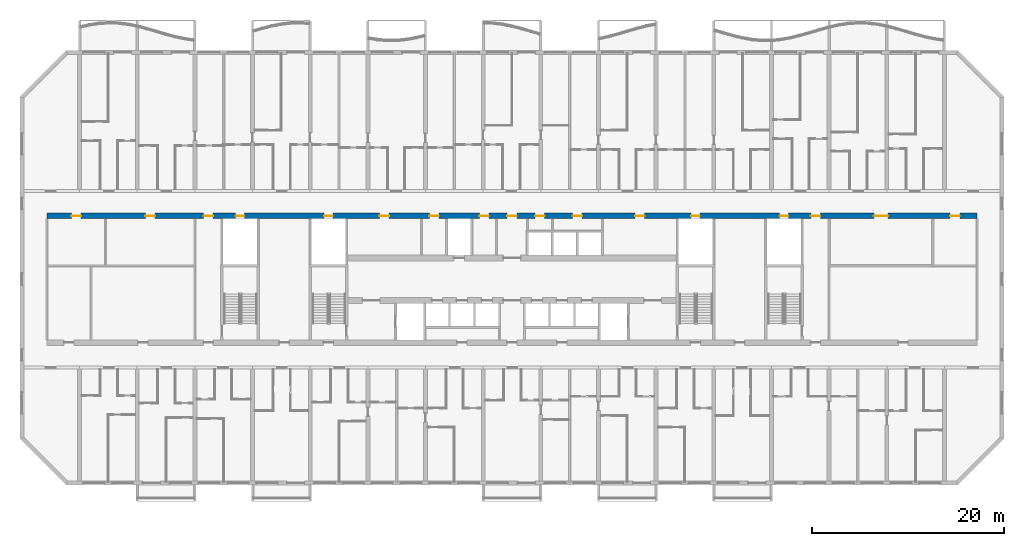
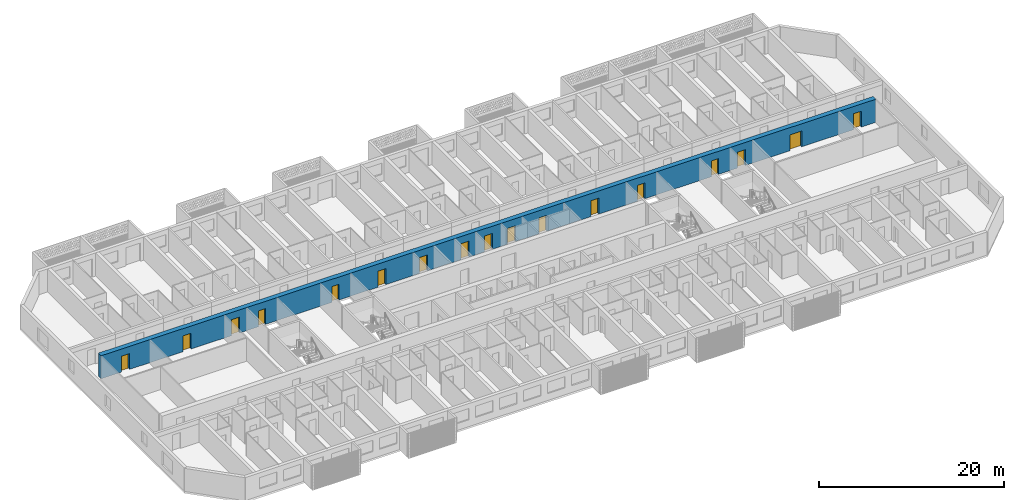
# One storey, part 9 of 40: 17 doors, 1 wall, 17 openings.
"""IFC4 building model written with IfcOpenShell, lengths in metres."""

from ifc_helpers import new_model, si_unit, direction, frame, frame_2d, origin, place, context, subcontext, project, spatial, rectangle, extrude, material, layer, layer_set, type_object, element, fill, save


model = new_model("IFC4")

# Units and contexts
model_context = context("Model", 3, precision=1e-05, world=origin(), true_north=direction((0.0, 1.0)))
body_context = subcontext(model_context, "Body", "Model", "MODEL_VIEW")
ifc_project = project(units=[si_unit("LENGTHUNIT", "METRE"), si_unit("AREAUNIT", "SQUARE_METRE"), si_unit("VOLUMEUNIT", "CUBIC_METRE"), si_unit("PLANEANGLEUNIT", "RADIAN"), si_unit("MASSUNIT", "GRAM", prefix="KILO")], contexts=[model_context])

# Site, building, storey
site_placement = place(None, origin())
site = spatial("IfcSite", under=ifc_project, at=site_placement, CompositionType="ELEMENT")
building_placement = place(site_placement, origin())
building = spatial("IfcBuilding", under=site, at=building_placement, Name="Poui Terraces", CompositionType="ELEMENT")
storey_placement = place(building_placement, frame((0.0, 0.0, 36.60009765625)))
storey = spatial("IfcBuildingStorey", under=building, at=storey_placement, Name="L09", CompositionType="ELEMENT", Elevation=36.60009765625)

# Wall, openings, doors
ifc_material_1 = material(Name="Concrete 80 MPa", Category="concrete")
ifc_layer = layer(ifc_material_1, 0.60009765625)
ifc_layer_set = layer_set([ifc_layer], Name="Concrete 80 MPa")
wall_type = type_object("IfcWallType", Name="SPINE WALL 600 80 MPA", PredefinedType="SOLIDWALL", material=ifc_layer_set)
wall_placement = place(storey_placement, frame((2.60009765625, 27.800048828125, 0.0), z_axis=(0.0, 0.0, 1.0), x_axis=(1.0, 0.0, 0.0)))
wall = element("IfcWall", 1, at=wall_placement, inside=storey, type_object=wall_type, Name="SPINE WALL", PredefinedType="SOLIDWALL", context=body_context, shape_type="SweptSolid", body=[
    extrude(rectangle(XDim=96.7998046875, YDim=0.60009765625, at=frame_2d((48.39990234375, 0.0))), origin(), (0.0, 0.0, 1.0), 3.0498046875),
])
opening_1_placement = place(wall_placement, frame((2.550048828125, 0.0, 0.0)))
opening_1 = element("IfcOpeningElement", 2, at=opening_1_placement, cuts=wall, Name="Opening D100", PredefinedType="OPENING", context=body_context, shape_type="SweptSolid", body=[
    extrude(rectangle(XDim=1.0, YDim=2.10009765625, at=frame_2d((0.5, 1.050048828125))), frame((0.0, 0.31005859375, 0.0), z_axis=(0.0, -1.0, 0.0), x_axis=(1.0, 0.0, 0.0)), (0.0, 0.0, 1.0), 0.6201171875),
])
opening_2_placement = place(wall_placement, frame((10.25, 0.0, 0.0)))
opening_2 = element("IfcOpeningElement", 3, at=opening_2_placement, cuts=wall, Name="Opening FD60", PredefinedType="OPENING", context=body_context, shape_type="SweptSolid", body=[
    extrude(rectangle(XDim=1.0, YDim=2.10009765625, at=frame_2d((0.5, 1.050048828125))), frame((0.0, 0.31005859375, 0.0), z_axis=(0.0, -1.0, 0.0), x_axis=(1.0, 0.0, 0.0)), (0.0, 0.0, 1.0), 0.6201171875),
])
opening_3_placement = place(wall_placement, frame((16.300048828125, 0.0, 0.0)))
opening_3 = element("IfcOpeningElement", 4, at=opening_3_placement, cuts=wall, Name="Opening FDL", PredefinedType="OPENING", context=body_context, shape_type="SweptSolid", body=[
    extrude(rectangle(XDim=1.0, YDim=2.10009765625, at=frame_2d((0.5, 1.050048828125))), frame((0.0, 0.31005859375, 0.0), z_axis=(0.0, -1.0, 0.0), x_axis=(1.0, 0.0, 0.0)), (0.0, 0.0, 1.0), 0.6201171875),
])
opening_4_placement = place(wall_placement, frame((19.64990234375, 0.0, 0.0)))
opening_4 = element("IfcOpeningElement", 5, at=opening_4_placement, cuts=wall, Name="Opening FDR", PredefinedType="OPENING", context=body_context, shape_type="SweptSolid", body=[
    extrude(rectangle(XDim=0.89990234375, YDim=2.10009765625, at=frame_2d((0.449951171875, 1.050048828125))), frame((0.0, 0.31005859375, 0.0), z_axis=(0.0, -1.0, 0.0), x_axis=(1.0, 0.0, 0.0)), (0.0, 0.0, 1.0), 0.6201171875),
])
opening_5_placement = place(wall_placement, frame((28.85009765625, 0.0, 0.0)))
opening_5 = element("IfcOpeningElement", 6, at=opening_5_placement, cuts=wall, Name="Opening FDR", PredefinedType="OPENING", context=body_context, shape_type="SweptSolid", body=[
    extrude(rectangle(XDim=0.89990234375, YDim=2.10009765625, at=frame_2d((0.449951171875, 1.050048828125))), frame((0.0, 0.31005859375, 0.0), z_axis=(0.0, -1.0, 0.0), x_axis=(1.0, 0.0, 0.0)), (0.0, 0.0, 1.0), 0.6201171875),
])
opening_6_placement = place(wall_placement, frame((34.60009765625, 0.0, 0.0)))
opening_6 = element("IfcOpeningElement", 7, at=opening_6_placement, cuts=wall, Name="Opening FD60", PredefinedType="OPENING", context=body_context, shape_type="SweptSolid", body=[
    extrude(rectangle(XDim=1.0, YDim=2.10009765625, at=frame_2d((0.5, 1.050048828125))), frame((0.0, 0.31005859375, 0.0), z_axis=(0.0, -1.0, 0.0), x_axis=(1.0, 0.0, 0.0)), (0.0, 0.0, 1.0), 0.6201171875),
])
opening_7_placement = place(wall_placement, frame((39.800048828125, 0.0, 0.0)))
opening_7 = element("IfcOpeningElement", 8, at=opening_7_placement, cuts=wall, Name="Opening FD60", PredefinedType="OPENING", context=body_context, shape_type="SweptSolid", body=[
    extrude(rectangle(XDim=1.0, YDim=2.10009765625, at=frame_2d((0.5, 1.050048828125))), frame((0.0, 0.31005859375, 0.0), z_axis=(0.0, -1.0, 0.0), x_axis=(1.0, 0.0, 0.0)), (0.0, 0.0, 1.0), 0.6201171875),
])
opening_8_placement = place(wall_placement, frame((45.0, 0.0, 0.0)))
opening_8 = element("IfcOpeningElement", 9, at=opening_8_placement, cuts=wall, Name="Opening FD60", PredefinedType="OPENING", context=body_context, shape_type="SweptSolid", body=[
    extrude(rectangle(XDim=1.0, YDim=2.10009765625, at=frame_2d((0.5, 1.050048828125))), frame((0.0, 0.31005859375, 0.0), z_axis=(0.0, -1.0, 0.0), x_axis=(1.0, 0.0, 0.0)), (0.0, 0.0, 1.0), 0.6201171875),
])
opening_9_placement = place(wall_placement, frame((47.89990234375, 0.0, 0.0)))
opening_9 = element("IfcOpeningElement", 10, at=opening_9_placement, cuts=wall, Name="Opening FDL", PredefinedType="OPENING", context=body_context, shape_type="SweptSolid", body=[
    extrude(rectangle(XDim=1.0, YDim=2.10009765625, at=frame_2d((0.5, 1.050048828125))), frame((0.0, 0.31005859375, 0.0), z_axis=(0.0, -1.0, 0.0), x_axis=(1.0, 0.0, 0.0)), (0.0, 0.0, 1.0), 0.6201171875),
])
opening_10_placement = place(wall_placement, frame((50.800048828125, 0.0, 0.0)))
opening_10 = element("IfcOpeningElement", 11, at=opening_10_placement, cuts=wall, Name="Opening FD60", PredefinedType="OPENING", context=body_context, shape_type="SweptSolid", body=[
    extrude(rectangle(XDim=1.0, YDim=2.10009765625, at=frame_2d((0.5, 1.050048828125))), frame((0.0, 0.31005859375, 0.0), z_axis=(0.0, -1.0, 0.0), x_axis=(1.0, 0.0, 0.0)), (0.0, 0.0, 1.0), 0.6201171875),
])
opening_11_placement = place(wall_placement, frame((54.699951171875, 0.0, 0.0)))
opening_11 = element("IfcOpeningElement", 12, at=opening_11_placement, cuts=wall, Name="Opening FD60", PredefinedType="OPENING", context=body_context, shape_type="SweptSolid", body=[
    extrude(rectangle(XDim=1.0, YDim=2.10009765625, at=frame_2d((0.5, 1.050048828125))), frame((0.0, 0.31005859375, 0.0), z_axis=(0.0, -1.0, 0.0), x_axis=(1.0, 0.0, 0.0)), (0.0, 0.0, 1.0), 0.6201171875),
])
opening_12_placement = place(wall_placement, frame((61.199951171875, 0.0, 0.0)))
opening_12 = element("IfcOpeningElement", 13, at=opening_12_placement, cuts=wall, Name="Opening FD60", PredefinedType="OPENING", context=body_context, shape_type="SweptSolid", body=[
    extrude(rectangle(XDim=1.0, YDim=2.10009765625, at=frame_2d((0.5, 1.050048828125))), frame((0.0, 0.31005859375, 0.0), z_axis=(0.0, -1.0, 0.0), x_axis=(1.0, 0.0, 0.0)), (0.0, 0.0, 1.0), 0.6201171875),
])
opening_13_placement = place(wall_placement, frame((67.050048828125, 0.0, 0.0)))
opening_13 = element("IfcOpeningElement", 14, at=opening_13_placement, cuts=wall, Name="Opening FDR", PredefinedType="OPENING", context=body_context, shape_type="SweptSolid", body=[
    extrude(rectangle(XDim=0.89990234375, YDim=2.10009765625, at=frame_2d((0.449951171875, 1.050048828125))), frame((0.0, 0.31005859375, 0.0), z_axis=(0.0, -1.0, 0.0), x_axis=(1.0, 0.0, 0.0)), (0.0, 0.0, 1.0), 0.6201171875),
])
opening_14_placement = place(wall_placement, frame((76.25, 0.0, 0.0)))
opening_14 = element("IfcOpeningElement", 15, at=opening_14_placement, cuts=wall, Name="Opening FDR", PredefinedType="OPENING", context=body_context, shape_type="SweptSolid", body=[
    extrude(rectangle(XDim=0.89990234375, YDim=2.10009765625, at=frame_2d((0.449951171875, 1.050048828125))), frame((0.0, 0.31005859375, 0.0), z_axis=(0.0, -1.0, 0.0), x_axis=(1.0, 0.0, 0.0)), (0.0, 0.0, 1.0), 0.6201171875),
])
opening_15_placement = place(wall_placement, frame((79.5, 0.0, 0.0)))
opening_15 = element("IfcOpeningElement", 16, at=opening_15_placement, cuts=wall, Name="Opening FDL", PredefinedType="OPENING", context=body_context, shape_type="SweptSolid", body=[
    extrude(rectangle(XDim=1.0, YDim=2.10009765625, at=frame_2d((0.5, 1.050048828125))), frame((0.0, 0.31005859375, 0.0), z_axis=(0.0, -1.0, 0.0), x_axis=(1.0, 0.0, 0.0)), (0.0, 0.0, 1.0), 0.6201171875),
])
opening_16_placement = place(wall_placement, frame((86.050048828125, 0.0, 0.0)))
opening_16 = element("IfcOpeningElement", 17, at=opening_16_placement, cuts=wall, Name="Opening FDP", PredefinedType="OPENING", context=body_context, shape_type="SweptSolid", body=[
    extrude(rectangle(XDim=1.5, YDim=2.10009765625, at=frame_2d((0.75, 1.050048828125))), frame((0.0, 0.31005859375, 0.0), z_axis=(0.0, -1.0, 0.0), x_axis=(1.0, 0.0, 0.0)), (0.0, 0.0, 1.0), 0.6201171875),
])
opening_17_placement = place(wall_placement, frame((94.0, 0.0, 0.0)))
opening_17 = element("IfcOpeningElement", 18, at=opening_17_placement, cuts=wall, Name="Opening D100", PredefinedType="OPENING", context=body_context, shape_type="SweptSolid", body=[
    extrude(rectangle(XDim=1.0, YDim=2.10009765625, at=frame_2d((0.5, 1.050048828125))), frame((0.0, 0.31005859375, 0.0), z_axis=(0.0, -1.0, 0.0), x_axis=(1.0, 0.0, 0.0)), (0.0, 0.0, 1.0), 0.6201171875),
])
ifc_material_2 = material(Name="Solid core timber door", Category="wood")
door_type_1 = type_object("IfcDoorType", Name="ACCESSIBLE INTERNAL DOOR 1000 X 2100", OperationType="NOTDEFINED", PredefinedType="DOOR", material=ifc_material_2)
door_1_placement = place(opening_1_placement, origin())
door_1 = element("IfcDoor", 19, at=door_1_placement, inside=storey, type_object=door_type_1, Name="ACCESSIBLE INTERNAL DOOR 001", OperationType="SINGLE_SWING_LEFT", OverallHeight=2.10009765625, OverallWidth=1.0, PredefinedType="DOOR", context=body_context, shape_type="SweptSolid", body=[
    extrude(rectangle(XDim=1.0, YDim=2.10009765625, at=frame_2d((0.5, 1.050048828125))), frame((0.0, 0.02490234375, 0.0), z_axis=(0.0, -1.0, 0.0), x_axis=(1.0, 0.0, 0.0)), (0.0, 0.0, 1.0), 0.050048828125),
])
fill(opening_1, door_1)
door_2_placement = place(opening_17_placement, origin())
door_2 = element("IfcDoor", 20, at=door_2_placement, inside=storey, type_object=door_type_1, Name="ACCESSIBLE INTERNAL DOOR 017", OperationType="SINGLE_SWING_LEFT", OverallHeight=2.10009765625, OverallWidth=1.0, PredefinedType="DOOR", context=body_context, shape_type="SweptSolid", body=[
    extrude(rectangle(XDim=1.0, YDim=2.10009765625, at=frame_2d((0.5, 1.050048828125))), frame((0.0, 0.02490234375, 0.0), z_axis=(0.0, -1.0, 0.0), x_axis=(1.0, 0.0, 0.0)), (0.0, 0.0, 1.0), 0.050048828125),
])
fill(opening_17, door_2)
ifc_material_3 = material(Name="Steel fire door", Category="steel")
door_type_2 = type_object("IfcDoorType", Name="LOBBY FIRE DOOR 1000 X 2100", OperationType="NOTDEFINED", PredefinedType="DOOR", material=ifc_material_3)
door_3_placement = place(opening_3_placement, origin())
door_3 = element("IfcDoor", 21, at=door_3_placement, inside=storey, type_object=door_type_2, Name="LOBBY FIRE DOOR 003", OperationType="SINGLE_SWING_LEFT", OverallHeight=2.10009765625, OverallWidth=1.0, PredefinedType="DOOR", context=body_context, shape_type="SweptSolid", body=[
    extrude(rectangle(XDim=1.0, YDim=2.10009765625, at=frame_2d((0.5, 1.050048828125))), frame((0.0, 0.02490234375, 0.0), z_axis=(0.0, -1.0, 0.0), x_axis=(1.0, 0.0, 0.0)), (0.0, 0.0, 1.0), 0.050048828125),
])
fill(opening_3, door_3)
door_4_placement = place(opening_9_placement, origin())
door_4 = element("IfcDoor", 22, at=door_4_placement, inside=storey, type_object=door_type_2, Name="LOBBY FIRE DOOR 009", OperationType="SINGLE_SWING_RIGHT", OverallHeight=2.10009765625, OverallWidth=1.0, PredefinedType="DOOR", context=body_context, shape_type="SweptSolid", body=[
    extrude(rectangle(XDim=1.0, YDim=2.10009765625, at=frame_2d((0.5, 1.050048828125))), frame((0.0, 0.02490234375, 0.0), z_axis=(0.0, -1.0, 0.0), x_axis=(1.0, 0.0, 0.0)), (0.0, 0.0, 1.0), 0.050048828125),
])
fill(opening_9, door_4)
door_5_placement = place(opening_15_placement, origin())
door_5 = element("IfcDoor", 23, at=door_5_placement, inside=storey, type_object=door_type_2, Name="LOBBY FIRE DOOR 015", OperationType="SINGLE_SWING_RIGHT", OverallHeight=2.10009765625, OverallWidth=1.0, PredefinedType="DOOR", context=body_context, shape_type="SweptSolid", body=[
    extrude(rectangle(XDim=1.0, YDim=2.10009765625, at=frame_2d((0.5, 1.050048828125))), frame((0.0, 0.02490234375, 0.0), z_axis=(0.0, -1.0, 0.0), x_axis=(1.0, 0.0, 0.0)), (0.0, 0.0, 1.0), 0.050048828125),
])
fill(opening_15, door_5)
door_type_3 = type_object("IfcDoorType", Name="PLANT ROOM DOOR PAIR 1500 X 2100", OperationType="DOUBLE_DOOR_SINGLE_SWING", PredefinedType="DOOR", material=ifc_material_3)
door_6_placement = place(opening_16_placement, origin())
door_6 = element("IfcDoor", 24, at=door_6_placement, inside=storey, type_object=door_type_3, Name="PLANT ROOM DOOR PAIR 016", OperationType="DOUBLE_DOOR_SINGLE_SWING", OverallHeight=2.10009765625, OverallWidth=1.5, PredefinedType="DOOR", context=body_context, shape_type="SweptSolid", body=[
    extrude(rectangle(XDim=1.5, YDim=2.10009765625, at=frame_2d((0.75, 1.050048828125))), frame((0.0, 0.02490234375, 0.0), z_axis=(0.0, -1.0, 0.0), x_axis=(1.0, 0.0, 0.0)), (0.0, 0.0, 1.0), 0.050048828125),
])
fill(opening_16, door_6)
door_type_4 = type_object("IfcDoorType", Name="RISER CUPBOARD DOOR 900 X 2100", OperationType="NOTDEFINED", PredefinedType="DOOR", material=ifc_material_3)
door_7_placement = place(opening_4_placement, origin())
door_7 = element("IfcDoor", 25, at=door_7_placement, inside=storey, type_object=door_type_4, Name="RISER CUPBOARD DOOR 004", OperationType="SINGLE_SWING_LEFT", OverallHeight=2.10009765625, OverallWidth=0.89990234375, PredefinedType="DOOR", context=body_context, shape_type="SweptSolid", body=[
    extrude(rectangle(XDim=0.89990234375, YDim=2.10009765625, at=frame_2d((0.449951171875, 1.050048828125))), frame((0.0, 0.02490234375, 0.0), z_axis=(0.0, -1.0, 0.0), x_axis=(1.0, 0.0, 0.0)), (0.0, 0.0, 1.0), 0.050048828125),
])
fill(opening_4, door_7)
door_8_placement = place(opening_5_placement, origin())
door_8 = element("IfcDoor", 26, at=door_8_placement, inside=storey, type_object=door_type_4, Name="RISER CUPBOARD DOOR 005", OperationType="SINGLE_SWING_LEFT", OverallHeight=2.10009765625, OverallWidth=0.89990234375, PredefinedType="DOOR", context=body_context, shape_type="SweptSolid", body=[
    extrude(rectangle(XDim=0.89990234375, YDim=2.10009765625, at=frame_2d((0.449951171875, 1.050048828125))), frame((0.0, 0.02490234375, 0.0), z_axis=(0.0, -1.0, 0.0), x_axis=(1.0, 0.0, 0.0)), (0.0, 0.0, 1.0), 0.050048828125),
])
fill(opening_5, door_8)
door_9_placement = place(opening_13_placement, origin())
door_9 = element("IfcDoor", 27, at=door_9_placement, inside=storey, type_object=door_type_4, Name="RISER CUPBOARD DOOR 013", OperationType="SINGLE_SWING_RIGHT", OverallHeight=2.10009765625, OverallWidth=0.89990234375, PredefinedType="DOOR", context=body_context, shape_type="SweptSolid", body=[
    extrude(rectangle(XDim=0.89990234375, YDim=2.10009765625, at=frame_2d((0.449951171875, 1.050048828125))), frame((0.0, 0.02490234375, 0.0), z_axis=(0.0, -1.0, 0.0), x_axis=(1.0, 0.0, 0.0)), (0.0, 0.0, 1.0), 0.050048828125),
])
fill(opening_13, door_9)
door_10_placement = place(opening_14_placement, origin())
door_10 = element("IfcDoor", 28, at=door_10_placement, inside=storey, type_object=door_type_4, Name="RISER CUPBOARD DOOR 014", OperationType="SINGLE_SWING_RIGHT", OverallHeight=2.10009765625, OverallWidth=0.89990234375, PredefinedType="DOOR", context=body_context, shape_type="SweptSolid", body=[
    extrude(rectangle(XDim=0.89990234375, YDim=2.10009765625, at=frame_2d((0.449951171875, 1.050048828125))), frame((0.0, 0.02490234375, 0.0), z_axis=(0.0, -1.0, 0.0), x_axis=(1.0, 0.0, 0.0)), (0.0, 0.0, 1.0), 0.050048828125),
])
fill(opening_14, door_10)
door_type_5 = type_object("IfcDoorType", Name="SERVICE ROOM FIRE DOOR 1000 X 2100", OperationType="NOTDEFINED", PredefinedType="DOOR", material=ifc_material_3)
door_11_placement = place(opening_2_placement, origin())
door_11 = element("IfcDoor", 29, at=door_11_placement, inside=storey, type_object=door_type_5, Name="SERVICE ROOM FIRE DOOR 002", OperationType="SINGLE_SWING_RIGHT", OverallHeight=2.10009765625, OverallWidth=1.0, PredefinedType="DOOR", context=body_context, shape_type="SweptSolid", body=[
    extrude(rectangle(XDim=1.0, YDim=2.10009765625, at=frame_2d((0.5, 1.050048828125))), frame((0.0, 0.02490234375, 0.0), z_axis=(0.0, -1.0, 0.0), x_axis=(1.0, 0.0, 0.0)), (0.0, 0.0, 1.0), 0.050048828125),
])
fill(opening_2, door_11)
door_12_placement = place(opening_6_placement, origin())
door_12 = element("IfcDoor", 30, at=door_12_placement, inside=storey, type_object=door_type_5, Name="SERVICE ROOM FIRE DOOR 006", OperationType="SINGLE_SWING_LEFT", OverallHeight=2.10009765625, OverallWidth=1.0, PredefinedType="DOOR", context=body_context, shape_type="SweptSolid", body=[
    extrude(rectangle(XDim=1.0, YDim=2.10009765625, at=frame_2d((0.5, 1.050048828125))), frame((0.0, 0.02490234375, 0.0), z_axis=(0.0, -1.0, 0.0), x_axis=(1.0, 0.0, 0.0)), (0.0, 0.0, 1.0), 0.050048828125),
])
fill(opening_6, door_12)
door_13_placement = place(opening_7_placement, origin())
door_13 = element("IfcDoor", 31, at=door_13_placement, inside=storey, type_object=door_type_5, Name="SERVICE ROOM FIRE DOOR 007", OperationType="SINGLE_SWING_RIGHT", OverallHeight=2.10009765625, OverallWidth=1.0, PredefinedType="DOOR", context=body_context, shape_type="SweptSolid", body=[
    extrude(rectangle(XDim=1.0, YDim=2.10009765625, at=frame_2d((0.5, 1.050048828125))), frame((0.0, 0.02490234375, 0.0), z_axis=(0.0, -1.0, 0.0), x_axis=(1.0, 0.0, 0.0)), (0.0, 0.0, 1.0), 0.050048828125),
])
fill(opening_7, door_13)
door_14_placement = place(opening_8_placement, origin())
door_14 = element("IfcDoor", 32, at=door_14_placement, inside=storey, type_object=door_type_5, Name="SERVICE ROOM FIRE DOOR 008", OperationType="SINGLE_SWING_LEFT", OverallHeight=2.10009765625, OverallWidth=1.0, PredefinedType="DOOR", context=body_context, shape_type="SweptSolid", body=[
    extrude(rectangle(XDim=1.0, YDim=2.10009765625, at=frame_2d((0.5, 1.050048828125))), frame((0.0, 0.02490234375, 0.0), z_axis=(0.0, -1.0, 0.0), x_axis=(1.0, 0.0, 0.0)), (0.0, 0.0, 1.0), 0.050048828125),
])
fill(opening_8, door_14)
door_15_placement = place(opening_10_placement, origin())
door_15 = element("IfcDoor", 33, at=door_15_placement, inside=storey, type_object=door_type_5, Name="SERVICE ROOM FIRE DOOR 010", OperationType="SINGLE_SWING_RIGHT", OverallHeight=2.10009765625, OverallWidth=1.0, PredefinedType="DOOR", context=body_context, shape_type="SweptSolid", body=[
    extrude(rectangle(XDim=1.0, YDim=2.10009765625, at=frame_2d((0.5, 1.050048828125))), frame((0.0, 0.02490234375, 0.0), z_axis=(0.0, -1.0, 0.0), x_axis=(1.0, 0.0, 0.0)), (0.0, 0.0, 1.0), 0.050048828125),
])
fill(opening_10, door_15)
door_16_placement = place(opening_11_placement, origin())
door_16 = element("IfcDoor", 34, at=door_16_placement, inside=storey, type_object=door_type_5, Name="SERVICE ROOM FIRE DOOR 011", OperationType="SINGLE_SWING_LEFT", OverallHeight=2.10009765625, OverallWidth=1.0, PredefinedType="DOOR", context=body_context, shape_type="SweptSolid", body=[
    extrude(rectangle(XDim=1.0, YDim=2.10009765625, at=frame_2d((0.5, 1.050048828125))), frame((0.0, 0.02490234375, 0.0), z_axis=(0.0, -1.0, 0.0), x_axis=(1.0, 0.0, 0.0)), (0.0, 0.0, 1.0), 0.050048828125),
])
fill(opening_11, door_16)
door_17_placement = place(opening_12_placement, origin())
door_17 = element("IfcDoor", 35, at=door_17_placement, inside=storey, type_object=door_type_5, Name="SERVICE ROOM FIRE DOOR 012", OperationType="SINGLE_SWING_RIGHT", OverallHeight=2.10009765625, OverallWidth=1.0, PredefinedType="DOOR", context=body_context, shape_type="SweptSolid", body=[
    extrude(rectangle(XDim=1.0, YDim=2.10009765625, at=frame_2d((0.5, 1.050048828125))), frame((0.0, 0.02490234375, 0.0), z_axis=(0.0, -1.0, 0.0), x_axis=(1.0, 0.0, 0.0)), (0.0, 0.0, 1.0), 0.050048828125),
])
fill(opening_12, door_17)

save(model, "model.ifc")
